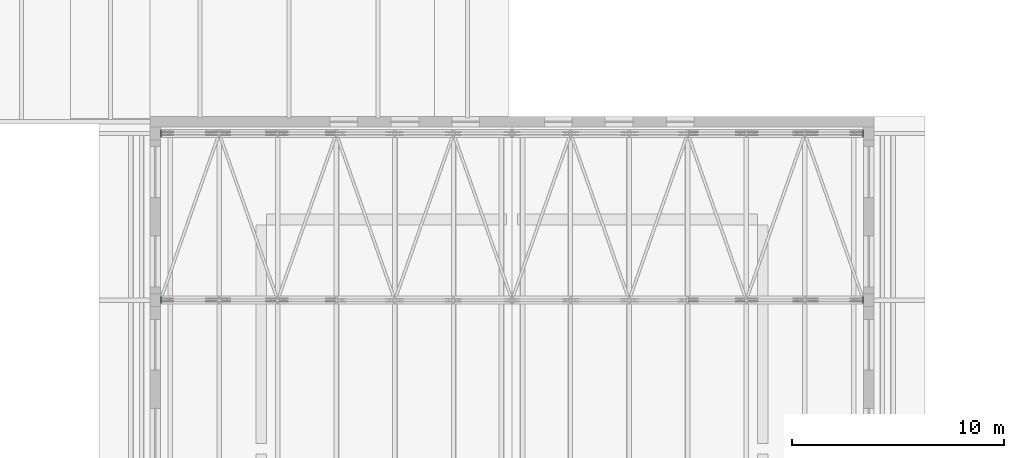
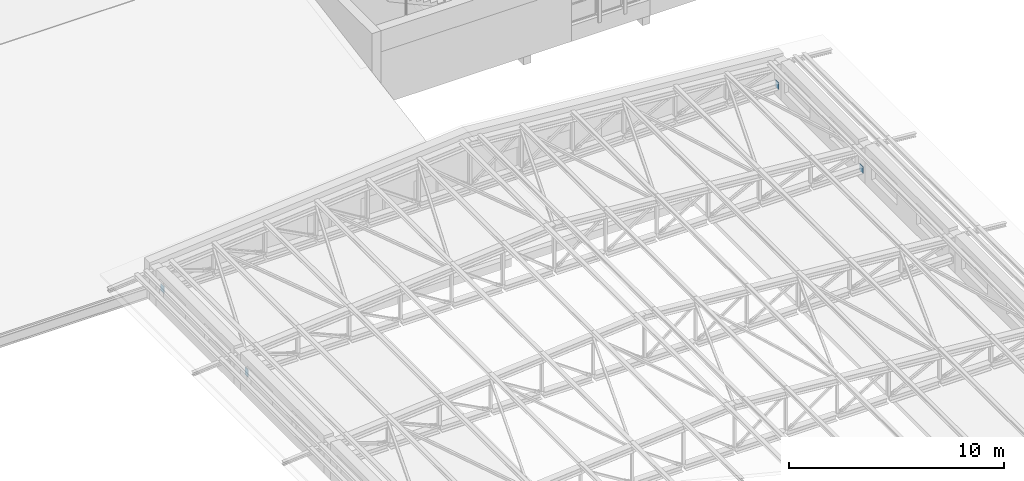
# One storey, part 37 of 60: 4 plates.
"""IFC4 building model written with IfcOpenShell, lengths in metres."""

from ifc_helpers import new_model, si_unit, direction, frame, origin, origin_2d, place, context, subcontext, project, spatial, rectangle, extrude, material, layer, layer_set, type_object, element, save


model = new_model("IFC4")

# Units and contexts
model_context = context("Model", 3, precision=1e-05, world=origin(), true_north=direction((0.0, 1.0)))
body_context = subcontext(model_context, "Body", "Model", "MODEL_VIEW")
ifc_project = project(units=[si_unit("LENGTHUNIT", "METRE"), si_unit("AREAUNIT", "SQUARE_METRE"), si_unit("VOLUMEUNIT", "CUBIC_METRE"), si_unit("PLANEANGLEUNIT", "RADIAN"), si_unit("MASSUNIT", "GRAM", prefix="KILO")], contexts=[model_context])

# Site, building, storey
site_placement = place(None, origin())
site = spatial("IfcSite", under=ifc_project, at=site_placement, CompositionType="ELEMENT")
building_placement = place(site_placement, origin())
building = spatial("IfcBuilding", under=site, at=building_placement, Name="Ljudholm Concert House", CompositionType="ELEMENT")
storey_placement = place(building_placement, frame((0.0, 0.0, 15.0)))
storey = spatial("IfcBuildingStorey", under=building, at=storey_placement, Name="L03", CompositionType="ELEMENT", Elevation=15.0)

# Plates
ifc_material = material(Name="Steel ASTM A36", Category="steel")
ifc_layer = layer(ifc_material, 0.030029296875)
ifc_layer_set = layer_set([ifc_layer], Name="Steel ASTM A36")
plate_type = type_object("IfcPlateType", Name="BEARING PLATE 30x300x400", PredefinedType="SHEET", material=ifc_layer_set)
for number, where, z_axis, x_axis, name in (
    (1, (12.6650390625, 37.60009765625, 0.5), (0.0, 0.0, 1.0), (1.0, 0.0, 0.0), "Truss bearing plate"),
    (2, (45.735107421875, 37.60009765625, 0.5), (0.0, 0.0, 1.0), (1.0, 0.0, 0.0), "Truss sliding bearing plate"),
    (3, (12.6650390625, 45.449951171875, 0.5), (0.0, 0.0, 1.0), (1.0, 0.0, 0.0), "Truss bearing plate"),
    (4, (45.735107421875, 45.449951171875, 0.5), (0.0, 0.0, 1.0), (1.0, 0.0, 0.0), "Truss sliding bearing plate"),
):
    element("IfcPlate", number, at=place(storey_placement, frame(where, z_axis=z_axis, x_axis=x_axis)), inside=storey, type_object=plate_type, Name=name, PredefinedType="SHEET", context=body_context, shape_type="SweptSolid", body=[
        extrude(rectangle(XDim=0.030029296875, YDim=0.300048828125, at=origin_2d()), origin(), (0.0, 0.0, 1.0), 0.39990234375),
    ])

save(model, "model.ifc")
